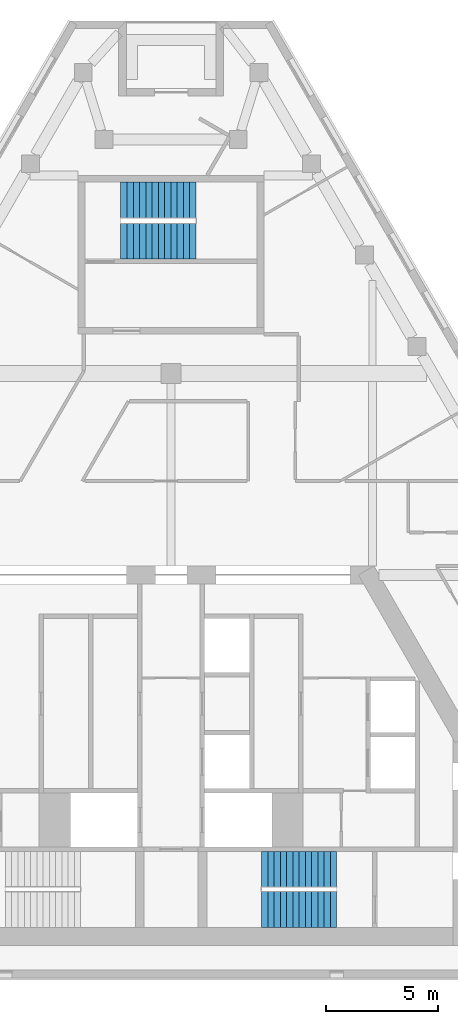
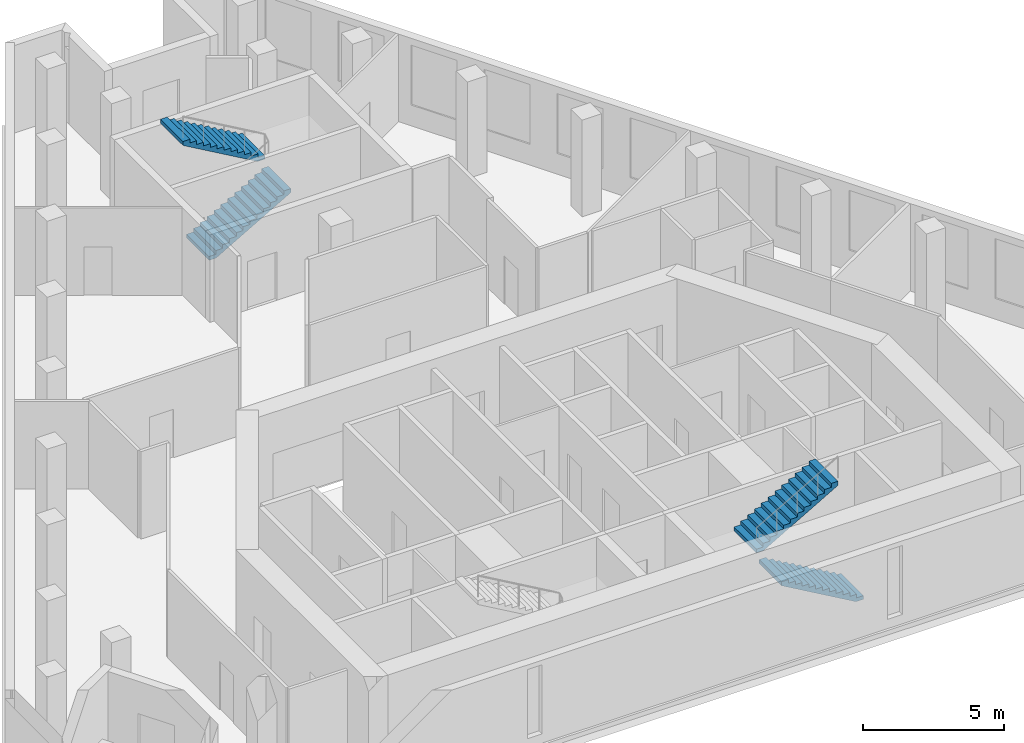
# One storey, part 7 of 8: 4 stair flights, 2 elements without a shape of their own.
"""IFC4 building model written with IfcOpenShell, lengths in metres."""

from ifc_helpers import new_model, si_unit, direction, frame, origin, place, context, subcontext, project, spatial, polyline, outline, extrude, material, type_object, element, aggregate, save


model = new_model("IFC4")

# Units and contexts
model_context = context("Model", 3, precision=1e-05, world=origin(), true_north=direction((0.0, 1.0)))
body_context = subcontext(model_context, "Body", "Model", "MODEL_VIEW")
ifc_project = project(units=[si_unit("LENGTHUNIT", "METRE"), si_unit("AREAUNIT", "SQUARE_METRE"), si_unit("VOLUMEUNIT", "CUBIC_METRE"), si_unit("PLANEANGLEUNIT", "RADIAN"), si_unit("MASSUNIT", "GRAM", prefix="KILO")], contexts=[model_context])

# Site, building, storey
site_placement = place(None, origin())
site = spatial("IfcSite", under=ifc_project, at=site_placement, CompositionType="ELEMENT")
building_placement = place(site_placement, origin())
building = spatial("IfcBuilding", under=site, at=building_placement, Name="Fogline Exchange Tower", CompositionType="ELEMENT")
storey_placement = place(building_placement, frame((0.0, 0.0, 314.10009765625)))
storey = spatial("IfcBuildingStorey", under=building, at=storey_placement, Name="L71", CompositionType="ELEMENT", Elevation=314.10009765625)

# Stair, stair flights
ifc_material = material(Name="Concrete C40", Category="concrete")
stair_type = type_object("IfcStairType", Name="STR26-1615", PredefinedType="HALF_TURN_STAIR", material=ifc_material)
stair_1_placement = place(storey_placement, origin())
stair_1 = element("IfcStair", 1, at=stair_1_placement, inside=storey, type_object=stair_type, Name="Stair ST2", PredefinedType="HALF_TURN_STAIR")
stair_flight_type = type_object("IfcStairFlightType", Name="SF13-1615", PredefinedType="STRAIGHT", material=ifc_material)
stair_flight_1_placement = place(storey_placement, frame((7.39990234375, 3.050048828125, 0.0), z_axis=(0.0, 0.0, 1.0), x_axis=(-1.0, 0.0, 0.0)))
stair_flight_1 = element("IfcStairFlight", 2, at=stair_flight_1_placement, type_object=stair_flight_type, Name="ST2 flight 1", NumberOfRisers=13, NumberOfTreads=12, PredefinedType="STRAIGHT", RiserHeight=0.161538462, TreadLength=0.28, context=body_context, shape_type="SweptSolid", body=[
    extrude(outline(polyline([(0.0, 0.0), (0.0, 0.16162109375), (0.280029296875, 0.16162109375), (0.280029296875, 0.322998046875), (0.56005859375, 0.322998046875), (0.56005859375, 0.484619140625), (0.840087890625, 0.484619140625), (0.840087890625, 0.646240234375), (1.1201171875, 0.646240234375), (1.1201171875, 0.8076171875), (1.39990234375, 0.8076171875), (1.39990234375, 0.96923828125), (1.679931640625, 0.96923828125), (1.679931640625, 1.130859375), (1.9599609375, 1.130859375), (1.9599609375, 1.292236328125), (2.239990234375, 1.292236328125), (2.239990234375, 1.453857421875), (2.52001953125, 1.453857421875), (2.52001953125, 1.615478515625), (2.800048828125, 1.615478515625), (2.800048828125, 1.77685546875), (3.080078125, 1.77685546875), (3.080078125, 1.9384765625), (3.360107421875, 1.9384765625), (3.360107421875, 2.10009765625), (3.360107421875, 1.765380859375), (0.300048828125, 0.0), (0.0, 0.0)])), frame((0.0, 0.800048828125, 0.0), z_axis=(0.0, -1.0, 0.0), x_axis=(1.0, 0.0, 0.0)), (0.0, 0.0, 1.0), 1.60009765625),
])
stair_flight_2_placement = place(storey_placement, frame((4.0400390625, 4.85009765625, 2.099853515625), z_axis=(0.0, 0.0, 1.0), x_axis=(1.0, 0.0, 0.0)))
stair_flight_2 = element("IfcStairFlight", 3, at=stair_flight_2_placement, type_object=stair_flight_type, Name="ST2 flight 2", NumberOfRisers=13, NumberOfTreads=12, PredefinedType="STRAIGHT", RiserHeight=0.161538462, TreadLength=0.28, context=body_context, shape_type="SweptSolid", body=[
    extrude(outline(polyline([(0.0, 0.0), (0.0, 0.16162109375), (0.280029296875, 0.16162109375), (0.280029296875, 0.322998046875), (0.56005859375, 0.322998046875), (0.56005859375, 0.484619140625), (0.840087890625, 0.484619140625), (0.840087890625, 0.646240234375), (1.1201171875, 0.646240234375), (1.1201171875, 0.8076171875), (1.39990234375, 0.8076171875), (1.39990234375, 0.96923828125), (1.679931640625, 0.96923828125), (1.679931640625, 1.130859375), (1.9599609375, 1.130859375), (1.9599609375, 1.292236328125), (2.239990234375, 1.292236328125), (2.239990234375, 1.453857421875), (2.52001953125, 1.453857421875), (2.52001953125, 1.615478515625), (2.800048828125, 1.615478515625), (2.800048828125, 1.77685546875), (3.080078125, 1.77685546875), (3.080078125, 1.9384765625), (3.360107421875, 1.9384765625), (3.360107421875, 2.10009765625), (3.360107421875, 1.765380859375), (0.300048828125, 0.0), (0.0, 0.0)])), frame((0.0, 0.800048828125, 0.0), z_axis=(0.0, -1.0, 0.0), x_axis=(1.0, 0.0, 0.0)), (0.0, 0.0, 1.0), 1.60009765625),
])
aggregate(stair_1, [stair_flight_1, stair_flight_2])

stair_2_placement = place(storey_placement, origin())
stair_2 = element("IfcStair", 4, at=stair_2_placement, inside=storey, type_object=stair_type, Name="Stair ST3", PredefinedType="HALF_TURN_STAIR")
stair_flight_3_placement = place(storey_placement, frame((-2.25, 32.906982421875, 0.0), z_axis=(0.0, 0.0, 1.0), x_axis=(1.0, 0.0, 0.0)))
stair_flight_3 = element("IfcStairFlight", 5, at=stair_flight_3_placement, type_object=stair_flight_type, Name="ST3 flight 1", NumberOfRisers=13, NumberOfTreads=12, PredefinedType="STRAIGHT", RiserHeight=0.161538462, TreadLength=0.28, context=body_context, shape_type="SweptSolid", body=[
    extrude(outline(polyline([(0.0, 0.0), (0.0, 0.16162109375), (0.280029296875, 0.16162109375), (0.280029296875, 0.322998046875), (0.56005859375, 0.322998046875), (0.56005859375, 0.484619140625), (0.840087890625, 0.484619140625), (0.840087890625, 0.646240234375), (1.1201171875, 0.646240234375), (1.1201171875, 0.8076171875), (1.39990234375, 0.8076171875), (1.39990234375, 0.96923828125), (1.679931640625, 0.96923828125), (1.679931640625, 1.130859375), (1.9599609375, 1.130859375), (1.9599609375, 1.292236328125), (2.239990234375, 1.292236328125), (2.239990234375, 1.453857421875), (2.52001953125, 1.453857421875), (2.52001953125, 1.615478515625), (2.800048828125, 1.615478515625), (2.800048828125, 1.77685546875), (3.080078125, 1.77685546875), (3.080078125, 1.9384765625), (3.360107421875, 1.9384765625), (3.360107421875, 2.10009765625), (3.360107421875, 1.765380859375), (0.300048828125, 0.0), (0.0, 0.0)])), frame((0.0, 0.800048828125, 0.0), z_axis=(0.0, -1.0, 0.0), x_axis=(1.0, 0.0, 0.0)), (0.0, 0.0, 1.0), 1.60009765625),
])
stair_flight_4_placement = place(storey_placement, frame((1.110107421875, 34.757080078125, 2.099853515625), z_axis=(0.0, 0.0, 1.0), x_axis=(-1.0, 0.0, 0.0)))
stair_flight_4 = element("IfcStairFlight", 6, at=stair_flight_4_placement, type_object=stair_flight_type, Name="ST3 flight 2", NumberOfRisers=13, NumberOfTreads=12, PredefinedType="STRAIGHT", RiserHeight=0.161538462, TreadLength=0.28, context=body_context, shape_type="SweptSolid", body=[
    extrude(outline(polyline([(0.0, 0.0), (0.0, 0.16162109375), (0.280029296875, 0.16162109375), (0.280029296875, 0.322998046875), (0.56005859375, 0.322998046875), (0.56005859375, 0.484619140625), (0.840087890625, 0.484619140625), (0.840087890625, 0.646240234375), (1.1201171875, 0.646240234375), (1.1201171875, 0.8076171875), (1.39990234375, 0.8076171875), (1.39990234375, 0.96923828125), (1.679931640625, 0.96923828125), (1.679931640625, 1.130859375), (1.9599609375, 1.130859375), (1.9599609375, 1.292236328125), (2.239990234375, 1.292236328125), (2.239990234375, 1.453857421875), (2.52001953125, 1.453857421875), (2.52001953125, 1.615478515625), (2.800048828125, 1.615478515625), (2.800048828125, 1.77685546875), (3.080078125, 1.77685546875), (3.080078125, 1.9384765625), (3.360107421875, 1.9384765625), (3.360107421875, 2.10009765625), (3.360107421875, 1.765380859375), (0.300048828125, 0.0), (0.0, 0.0)])), frame((0.0, 0.800048828125, 0.0), z_axis=(0.0, -1.0, 0.0), x_axis=(1.0, 0.0, 0.0)), (0.0, 0.0, 1.0), 1.60009765625),
])
aggregate(stair_2, [stair_flight_3, stair_flight_4])

save(model, "model.ifc")
